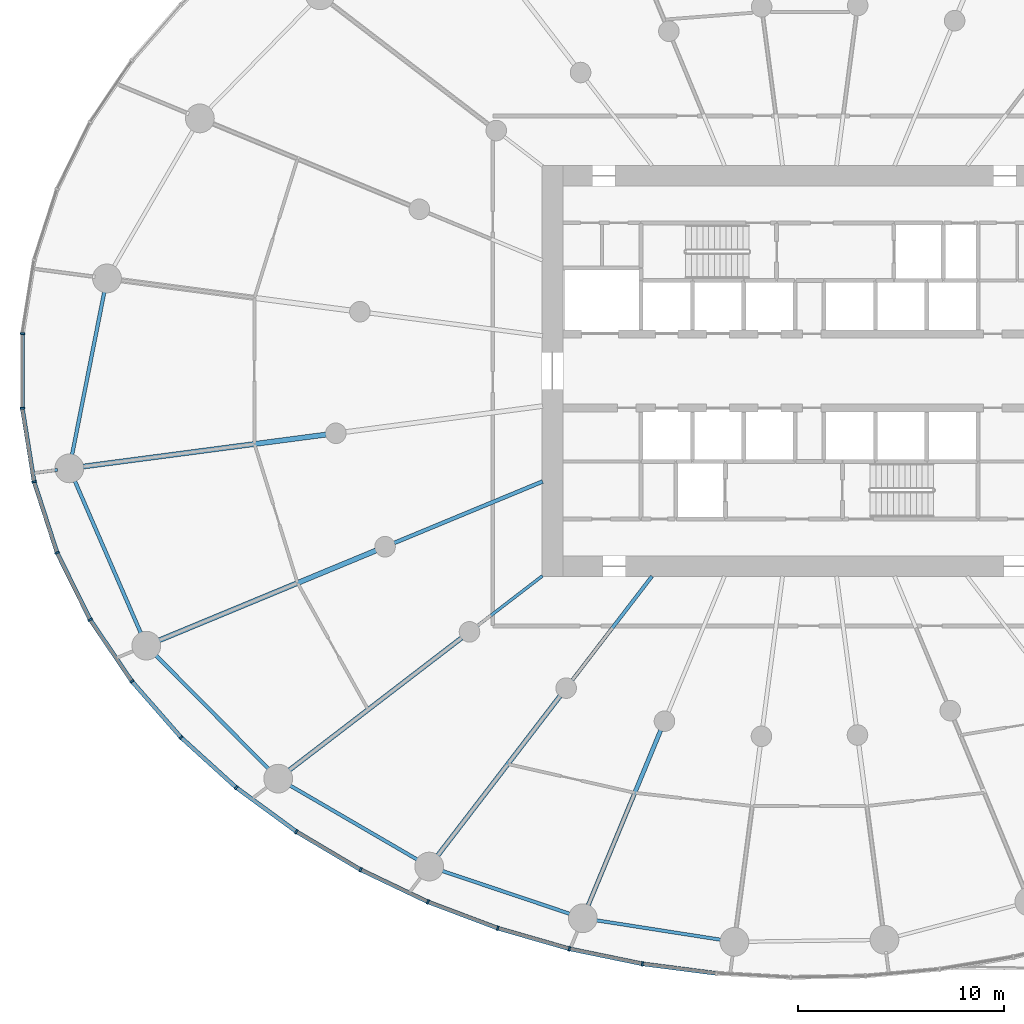
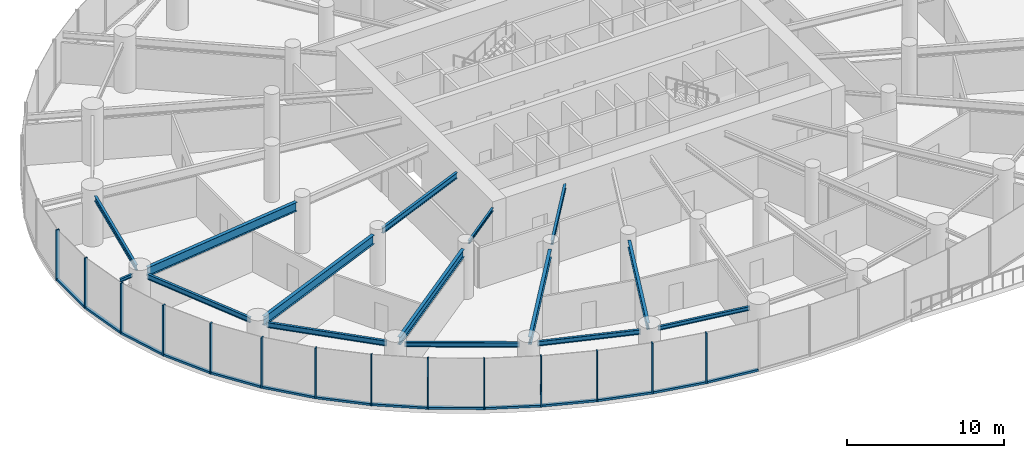
# One storey, part 2 of 21: 28 members, 15 beams, 4 elements without a shape of their own.
"""IFC4 building model written with IfcOpenShell, lengths in metres."""

from ifc_helpers import new_model, si_unit, direction, frame, origin, origin_2d, place, context, subcontext, project, spatial, rectangle, i_section, extrude, source, transform, mapped, material, layer, layer_set, material_profile, profile_set, type_object, element, aggregate, save


model = new_model("IFC4")

# Units and contexts
model_context = context("Model", 3, precision=1e-05, world=origin(), true_north=direction((0.0, 1.0)))
body_context = subcontext(model_context, "Body", "Model", "MODEL_VIEW")
ifc_project = project(units=[si_unit("LENGTHUNIT", "METRE"), si_unit("AREAUNIT", "SQUARE_METRE"), si_unit("VOLUMEUNIT", "CUBIC_METRE"), si_unit("PLANEANGLEUNIT", "RADIAN"), si_unit("MASSUNIT", "GRAM", prefix="KILO")], contexts=[model_context])

# Site, building, storey
site_placement = place(None, origin())
site = spatial("IfcSite", under=ifc_project, at=site_placement, CompositionType="ELEMENT")
building_placement = place(site_placement, origin())
building = spatial("IfcBuilding", under=site, at=building_placement, Name="Spindrift Exchange Tower", CompositionType="ELEMENT")
storey_placement = place(building_placement, frame((0.0, 0.0, 18.199951171875)))
storey = spatial("IfcBuildingStorey", under=building, at=storey_placement, Name="L04", CompositionType="ELEMENT", Elevation=18.199951171875)

# Beams
ifc_material_1 = material(Name="Steel Grade 300", Category="steel")
ifc_material_profile_1 = material_profile(ifc_material_1, i_section(OverallWidth=0.25, OverallDepth=0.699951171875, WebThickness=0.008056640625, FlangeThickness=0.011962890625, at=origin_2d()), Name="700WB115")
ifc_profile_set_1 = profile_set([ifc_material_profile_1], Name="Steel Grade 300")
beam_type_1 = type_object("IfcBeamType", Name="Floor Beam 700WB115 Steel Grade 300", PredefinedType="BEAM", material=ifc_profile_set_1)
shared_shape_1 = source(origin(), body_context, "Body", "SweptSolid", [
    extrude(i_section(OverallWidth=0.25, OverallDepth=0.699951171875, WebThickness=0.008056640625, FlangeThickness=0.011962890625, at=origin_2d()), origin(), (0.0, 0.0, 1.0), 12.00830078125),
])
beam_1_placement = place(storey_placement, frame((28.490234375, 44.90478515625, 3.60009765625), z_axis=(-0.991444950947, -0.130525511844, 0.0), x_axis=(0.130525511844, -0.991444950947, 0.0)))
element("IfcBeam", 1, at=beam_1_placement, inside=storey, type_object=beam_type_1, Name="L04 radial beam R13B", PredefinedType="BEAM", context=body_context, shape_type="MappedRepresentation", body=[
    mapped(shared_shape_1, transform((0.0, 0.0, 0.0), scale=1.0)),
])
ifc_material_profile_2 = material_profile(ifc_material_1, i_section(OverallWidth=0.18994140625, OverallDepth=0.45703125, WebThickness=0.009033203125, FlangeThickness=0.014404296875, FilletRadius=0.013916015625, at=origin_2d()), Name="460UB74.6")
ifc_profile_set_2 = profile_set([ifc_material_profile_2], Name="Steel Grade 300")
beam_type_2 = type_object("IfcBeamType", Name="Floor Beam 460UB74.6 Steel Grade 300", PredefinedType="BEAM", material=ifc_profile_set_2)
shared_shape_2 = source(origin(), body_context, "Body", "SweptSolid", [
    extrude(i_section(OverallWidth=0.18994140625, OverallDepth=0.45703125, WebThickness=0.009033203125, FlangeThickness=0.014404296875, FilletRadius=0.013916015625, at=origin_2d()), origin(), (0.0, 0.0, 1.0), 7.808837890625),
])
beam_2_placement = place(storey_placement, frame((39.0185546875, 42.622802734375, 3.721435546875), z_axis=(-0.92387965154, -0.382683145003, 0.0), x_axis=(0.382683145003, -0.92387965154, 0.0)))
element("IfcBeam", 2, at=beam_2_placement, inside=storey, type_object=beam_type_2, Name="L04 radial beam R14A", PredefinedType="BEAM", context=body_context, shape_type="MappedRepresentation", body=[
    mapped(shared_shape_2, transform((0.0, 0.0, 0.0), scale=1.0)),
])
shared_shape_3 = source(origin(), body_context, "Body", "SweptSolid", [
    extrude(i_section(OverallWidth=0.25, OverallDepth=0.699951171875, WebThickness=0.008056640625, FlangeThickness=0.011962890625, at=origin_2d()), origin(), (0.0, 0.0, 1.0), 11.505859375),
])
beam_3_placement = place(storey_placement, frame((30.917236328125, 39.26708984375, 3.60009765625), z_axis=(-0.923881578419, -0.38267849307, 0.0), x_axis=(0.38267849307, -0.923881578419, 0.0)))
element("IfcBeam", 3, at=beam_3_placement, inside=storey, type_object=beam_type_1, Name="L04 radial beam R14B", PredefinedType="BEAM", context=body_context, shape_type="MappedRepresentation", body=[
    mapped(shared_shape_3, transform((0.0, 0.0, 0.0), scale=1.0)),
])
ifc_material_profile_3 = material_profile(ifc_material_1, i_section(OverallWidth=0.14599609375, OverallDepth=0.251953125, WebThickness=0.006103515625, FlangeThickness=0.008544921875, FilletRadius=0.011962890625, at=origin_2d()), Name="250UB31.4")
ifc_profile_set_3 = profile_set([ifc_material_profile_3], Name="Steel Grade 300")
beam_type_3 = type_object("IfcBeamType", Name="Floor Beam 250UB31.4 Steel Grade 300", PredefinedType="BEAM", material=ifc_profile_set_3)
shared_shape_4 = source(origin(), body_context, "Body", "SweptSolid", [
    extrude(i_section(OverallWidth=0.14599609375, OverallDepth=0.251953125, WebThickness=0.006103515625, FlangeThickness=0.008544921875, FilletRadius=0.011962890625, at=origin_2d()), origin(), (0.0, 0.0, 1.0), 3.99560546875),
])
beam_4_placement = place(storey_placement, frame((39.015869140625, 38.036865234375, 3.823974609375), z_axis=(-0.793352561574, -0.608762443851, 0.0), x_axis=(0.608762443851, -0.793352561574, 0.0)))
element("IfcBeam", 4, at=beam_4_placement, inside=storey, type_object=beam_type_3, Name="L04 radial beam R15A", PredefinedType="BEAM", context=body_context, shape_type="MappedRepresentation", body=[
    mapped(shared_shape_4, transform((0.0, 0.0, 0.0), scale=1.0)),
])
ifc_material_profile_4 = material_profile(ifc_material_1, i_section(OverallWidth=0.22802734375, OverallDepth=0.60693359375, WebThickness=0.01123046875, FlangeThickness=0.017333984375, FilletRadius=0.013916015625, at=origin_2d()), Name="610UB113")
ifc_profile_set_4 = profile_set([ifc_material_profile_4], Name="Steel Grade 300")
beam_type_4 = type_object("IfcBeamType", Name="Floor Beam 610UB113 Steel Grade 300", PredefinedType="BEAM", material=ifc_profile_set_4)
shared_shape_5 = source(origin(), body_context, "Body", "SweptSolid", [
    extrude(i_section(OverallWidth=0.22802734375, OverallDepth=0.60693359375, WebThickness=0.01123046875, FlangeThickness=0.017333984375, FilletRadius=0.013916015625, at=origin_2d()), origin(), (0.0, 0.0, 1.0), 10.66357421875),
])
beam_5_placement = place(storey_placement, frame((35.08447265625, 35.020263671875, 3.646484375), z_axis=(-0.793357926757, -0.608755451764, 0.0), x_axis=(0.608755451764, -0.793357926757, 0.0)))
element("IfcBeam", 5, at=beam_5_placement, inside=storey, type_object=beam_type_4, Name="L04 radial beam R15B", PredefinedType="BEAM", context=body_context, shape_type="MappedRepresentation", body=[
    mapped(shared_shape_5, transform((0.0, 0.0, 0.0), scale=1.0)),
])
ifc_material_profile_5 = material_profile(ifc_material_1, i_section(OverallWidth=0.172119140625, OverallDepth=0.35888671875, WebThickness=0.008056640625, FlangeThickness=0.012939453125, FilletRadius=0.013916015625, at=origin_2d()), Name="360UB56.7")
ifc_profile_set_5 = profile_set([ifc_material_profile_5], Name="Steel Grade 300")
beam_type_5 = type_object("IfcBeamType", Name="Floor Beam 360UB56.7 Steel Grade 300", PredefinedType="BEAM", material=ifc_profile_set_5)
shared_shape_6 = source(origin(), body_context, "Body", "SweptSolid", [
    extrude(i_section(OverallWidth=0.172119140625, OverallDepth=0.35888671875, WebThickness=0.008056640625, FlangeThickness=0.012939453125, FilletRadius=0.013916015625, at=origin_2d()), origin(), (0.0, 0.0, 1.0), 6.37646484375),
])
beam_6_placement = place(storey_placement, frame((44.3388671875, 38.015869140625, 3.7705078125), z_axis=(-0.608766669952, -0.793349318747, 0.0), x_axis=(0.793349318747, -0.608766669952, 0.0)))
element("IfcBeam", 6, at=beam_6_placement, inside=storey, type_object=beam_type_5, Name="L04 radial beam R16A", PredefinedType="BEAM", context=body_context, shape_type="MappedRepresentation", body=[
    mapped(shared_shape_6, transform((0.0, 0.0, 0.0), scale=1.0)),
])
shared_shape_7 = source(origin(), body_context, "Body", "SweptSolid", [
    extrude(i_section(OverallWidth=0.22802734375, OverallDepth=0.60693359375, WebThickness=0.01123046875, FlangeThickness=0.017333984375, FilletRadius=0.013916015625, at=origin_2d()), origin(), (0.0, 0.0, 1.0), 9.87548828125),
])
beam_7_placement = place(storey_placement, frame((39.872802734375, 32.1953125, 3.646484375), z_axis=(-0.608772470836, -0.793344867477, 0.0), x_axis=(0.793344867477, -0.608772470836, 0.0)))
element("IfcBeam", 7, at=beam_7_placement, inside=storey, type_object=beam_type_4, Name="L04 radial beam R16B", PredefinedType="BEAM", context=body_context, shape_type="MappedRepresentation", body=[
    mapped(shared_shape_7, transform((0.0, 0.0, 0.0), scale=1.0)),
])
ifc_material_profile_6 = material_profile(ifc_material_1, i_section(OverallWidth=0.208984375, OverallDepth=0.532958984375, WebThickness=0.01025390625, FlangeThickness=0.015625, FilletRadius=0.013916015625, at=origin_2d()), Name="530UB92.4")
ifc_profile_set_6 = profile_set([ifc_material_profile_6], Name="Steel Grade 300")
beam_type_6 = type_object("IfcBeamType", Name="Floor Beam 530UB92.4 Steel Grade 300", PredefinedType="BEAM", material=ifc_profile_set_6)
shared_shape_8 = source(origin(), body_context, "Body", "SweptSolid", [
    extrude(i_section(OverallWidth=0.208984375, OverallDepth=0.532958984375, WebThickness=0.01025390625, FlangeThickness=0.015625, FilletRadius=0.013916015625, at=origin_2d()), origin(), (0.0, 0.0, 1.0), 9.309326171875),
])
beam_8_placement = place(storey_placement, frame((44.76171875, 30.525146484375, 3.68359375), z_axis=(-0.382685326691, -0.923878747853, 0.0), x_axis=(0.923878747853, -0.382685326691, 0.0)))
element("IfcBeam", 8, at=beam_8_placement, inside=storey, type_object=beam_type_6, Name="L04 radial beam R17B", PredefinedType="BEAM", context=body_context, shape_type="MappedRepresentation", body=[
    mapped(shared_shape_8, transform((0.0, 0.0, 0.0), scale=1.0)),
])
ifc_material_profile_7 = material_profile(ifc_material_1, i_section(OverallWidth=0.177978515625, OverallDepth=0.406005859375, WebThickness=0.0078125, FlangeThickness=0.0126953125, FilletRadius=0.013916015625, at=origin_2d()), Name="410UB59.7")
ifc_profile_set_7 = profile_set([ifc_material_profile_7], Name="Steel Grade 300")
beam_type_7 = type_object("IfcBeamType", Name="Edge Beam 410UB59.7 Steel Grade 300", PredefinedType="SPANDREL", material=ifc_profile_set_7)
shared_shape_9 = source(origin(), body_context, "Body", "SweptSolid", [
    extrude(i_section(OverallWidth=0.177978515625, OverallDepth=0.406005859375, WebThickness=0.0078125, FlangeThickness=0.0126953125, FilletRadius=0.013916015625, at=origin_2d()), origin(), (0.0, 0.0, 1.0), 8.23681640625),
])
beam_9_placement = place(storey_placement, frame((16.240478515625, 42.729736328125, 3.7470703125), z_axis=(0.398186298756, -0.91730456855, 0.0), x_axis=(0.91730456855, 0.398186298756, 0.0)))
element("IfcBeam", 9, at=beam_9_placement, inside=storey, type_object=beam_type_7, Name="L04 edge beam E13", PredefinedType="SPANDREL", context=body_context, shape_type="MappedRepresentation", body=[
    mapped(shared_shape_9, transform((0.0, 0.0, 0.0), scale=1.0)),
])
shared_shape_10 = source(origin(), body_context, "Body", "SweptSolid", [
    extrude(i_section(OverallWidth=0.177978515625, OverallDepth=0.406005859375, WebThickness=0.0078125, FlangeThickness=0.0126953125, FilletRadius=0.013916015625, at=origin_2d()), origin(), (0.0, 0.0, 1.0), 7.947509765625),
])
beam_10_placement = place(storey_placement, frame((20.159423828125, 34.230224609375, 3.7470703125), z_axis=(0.704197895271, -0.710003749494, 0.0), x_axis=(0.710003749494, 0.704197895271, 0.0)))
element("IfcBeam", 10, at=beam_10_placement, inside=storey, type_object=beam_type_7, Name="L04 edge beam E14", PredefinedType="SPANDREL", context=body_context, shape_type="MappedRepresentation", body=[
    mapped(shared_shape_10, transform((0.0, 0.0, 0.0), scale=1.0)),
])
ifc_material_profile_8 = material_profile(ifc_material_1, i_section(OverallWidth=0.172119140625, OverallDepth=0.35888671875, WebThickness=0.008056640625, FlangeThickness=0.012939453125, FilletRadius=0.013916015625, at=origin_2d()), Name="360UB56.7")
ifc_profile_set_8 = profile_set([ifc_material_profile_8], Name="Steel Grade 300")
beam_type_8 = type_object("IfcBeamType", Name="Edge Beam 360UB56.7 Steel Grade 300", PredefinedType="SPANDREL", material=ifc_profile_set_8)
shared_shape_11 = source(origin(), body_context, "Body", "SweptSolid", [
    extrude(i_section(OverallWidth=0.172119140625, OverallDepth=0.35888671875, WebThickness=0.008056640625, FlangeThickness=0.012939453125, FilletRadius=0.013916015625, at=origin_2d()), origin(), (0.0, 0.0, 1.0), 7.33740234375),
])
beam_11_placement = place(storey_placement, frame((26.66552734375, 27.8837890625, 3.7705078125), z_axis=(0.864211826308, -0.503128134047, 0.0), x_axis=(0.503128134047, 0.864211826308, 0.0)))
element("IfcBeam", 11, at=beam_11_placement, inside=storey, type_object=beam_type_8, Name="L04 edge beam E15", PredefinedType="SPANDREL", context=body_context, shape_type="MappedRepresentation", body=[
    mapped(shared_shape_11, transform((0.0, 0.0, 0.0), scale=1.0)),
])
shared_shape_12 = source(origin(), body_context, "Body", "SweptSolid", [
    extrude(i_section(OverallWidth=0.172119140625, OverallDepth=0.35888671875, WebThickness=0.008056640625, FlangeThickness=0.012939453125, FilletRadius=0.013916015625, at=origin_2d()), origin(), (0.0, 0.0, 1.0), 6.72021484375),
])
beam_12_placement = place(storey_placement, frame((34.0576171875, 23.71533203125, 3.7705078125), z_axis=(0.947851749681, -0.318711563372, 0.0), x_axis=(0.318711563372, 0.947851749681, 0.0)))
element("IfcBeam", 12, at=beam_12_placement, inside=storey, type_object=beam_type_8, Name="L04 edge beam E16", PredefinedType="SPANDREL", context=body_context, shape_type="MappedRepresentation", body=[
    mapped(shared_shape_12, transform((0.0, 0.0, 0.0), scale=1.0)),
])
ifc_material_profile_9 = material_profile(ifc_material_1, i_section(OverallWidth=0.1650390625, OverallDepth=0.303955078125, WebThickness=0.006103515625, FlangeThickness=0.01025390625, FilletRadius=0.011474609375, at=origin_2d()), Name="310UB40.4")
ifc_profile_set_9 = profile_set([ifc_material_profile_9], Name="Steel Grade 300")
beam_type_9 = type_object("IfcBeamType", Name="Edge Beam 310UB40.4 Steel Grade 300", PredefinedType="SPANDREL", material=ifc_profile_set_9)
shared_shape_13 = source(origin(), body_context, "Body", "SweptSolid", [
    extrude(i_section(OverallWidth=0.1650390625, OverallDepth=0.303955078125, WebThickness=0.006103515625, FlangeThickness=0.01025390625, FilletRadius=0.011474609375, at=origin_2d()), origin(), (0.0, 0.0, 1.0), 6.297119140625),
])
beam_13_placement = place(storey_placement, frame((41.55029296875, 21.29931640625, 3.798095703125), z_axis=(0.98802902915, -0.154268070436, 0.0), x_axis=(0.154268070436, 0.98802902915, 0.0)))
element("IfcBeam", 13, at=beam_13_placement, inside=storey, type_object=beam_type_9, Name="L04 edge beam E17", PredefinedType="SPANDREL", context=body_context, shape_type="MappedRepresentation", body=[
    mapped(shared_shape_13, transform((0.0, 0.0, 0.0), scale=1.0)),
])
shared_shape_14 = source(origin(), body_context, "Body", "SweptSolid", [
    extrude(i_section(OverallWidth=0.177978515625, OverallDepth=0.406005859375, WebThickness=0.0078125, FlangeThickness=0.0126953125, FilletRadius=0.013916015625, at=origin_2d()), origin(), (0.0, 0.0, 1.0), 8.2548828125),
])
beam_14_placement = place(storey_placement, frame((17.72607421875, 51.928466796875, 3.7470703125), z_axis=(-0.194278723288, -0.9809463684, 0.0), x_axis=(0.9809463684, -0.194278723288, 0.0)))
element("IfcBeam", 14, at=beam_14_placement, inside=storey, type_object=beam_type_7, Name="L04 edge beam E12", PredefinedType="SPANDREL", context=body_context, shape_type="MappedRepresentation", body=[
    mapped(shared_shape_14, transform((0.0, 0.0, 0.0), scale=1.0)),
])
ifc_material_profile_10 = material_profile(ifc_material_1, i_section(OverallWidth=0.14599609375, OverallDepth=0.251953125, WebThickness=0.006103515625, FlangeThickness=0.008544921875, FilletRadius=0.011962890625, at=origin_2d()), Name="250UB31.4")
ifc_profile_set_10 = profile_set([ifc_material_profile_10], Name="Steel Grade 300")
beam_type_10 = type_object("IfcBeamType", Name="Cantilever Beam 250UB31.4 Steel Grade 300", PredefinedType="BEAM", material=ifc_profile_set_10)
shared_shape_15 = source(origin(), body_context, "Body", "SweptSolid", [
    extrude(i_section(OverallWidth=0.14599609375, OverallDepth=0.251953125, WebThickness=0.006103515625, FlangeThickness=0.008544921875, FilletRadius=0.011962890625, at=origin_2d()), origin(), (0.0, 0.0, 1.0), 1.013916015625),
])
beam_15_placement = place(storey_placement, frame((15.4345703125, 43.18603515625, 3.823974609375), z_axis=(-0.991445276866, -0.130523036206, 0.0), x_axis=(0.130523036206, -0.991445276866, 0.0)))
element("IfcBeam", 15, at=beam_15_placement, inside=storey, type_object=beam_type_10, Name="L04 cantilever beam R13T", PredefinedType="BEAM", context=body_context, shape_type="MappedRepresentation", body=[
    mapped(shared_shape_15, transform((0.0, 0.0, 0.0), scale=1.0)),
])

# Curtain wall, member
ifc_material_2 = material(Name="Fritted laminated glass with bronze frame", Category="glass")
ifc_layer = layer(ifc_material_2, 0.219970703125)
ifc_layer_set = layer_set([ifc_layer], Name="PODIUM BRONZE GLAZED WALL")
curtain_wall_type = type_object("IfcCurtainWallType", Name="PODIUM BRONZE GLAZED WALL", PredefinedType="NOTDEFINED", material=ifc_layer_set)
curtain_wall_1_placement = place(storey_placement, origin())
curtain_wall_1 = element("IfcCurtainWall", 16, at=curtain_wall_1_placement, inside=storey, type_object=curtain_wall_type, Name="L04 Podium Bronze Glazed Wall run 5", PredefinedType="NOTDEFINED")
ifc_material_3 = material(Name="Bronze anodised aluminium", Category="aluminium")
ifc_material_profile_11 = material_profile(ifc_material_3, rectangle(XDim=0.090087890625, YDim=0.219970703125, at=origin_2d()), Name="PODIUM BRONZE GLAZED WALL MULLION 90X220")
ifc_profile_set_11 = profile_set([ifc_material_profile_11], Name="Bronze anodised aluminium")
member_type_1 = type_object("IfcMemberType", Name="PODIUM BRONZE GLAZED WALL MULLION 90X220", PredefinedType="MULLION", material=ifc_profile_set_11)
shared_shape_16 = source(origin(), body_context, "Body", "SweptSolid", [
    extrude(rectangle(XDim=0.090087890625, YDim=0.219970703125, at=origin_2d()), origin(), (0.0, 0.0, 1.0), 3.949951171875),
])
member_1_placement = place(storey_placement, frame((13.722412109375, 49.812255859375, 0.0), z_axis=(0.0, 0.0, 1.0), x_axis=(-0.079352003657, -0.996846657975, 0.0)))
member_1 = element("IfcMember", 17, at=member_1_placement, type_object=member_type_1, Name="L04 mullion CW-P.30", PredefinedType="MULLION", context=body_context, shape_type="MappedRepresentation", body=[
    mapped(shared_shape_16, transform((0.0, 0.0, 0.0), scale=1.0)),
])

# Curtain wall, members
curtain_wall_2_placement = place(storey_placement, origin())
curtain_wall_2 = element("IfcCurtainWall", 18, at=curtain_wall_2_placement, inside=storey, type_object=curtain_wall_type, Name="L04 Podium Bronze Glazed Wall run 6", PredefinedType="NOTDEFINED")
member_2_placement = place(storey_placement, frame((13.722412109375, 46.187744140625, 0.0), z_axis=(0.0, 0.0, 1.0), x_axis=(0.079352003657, -0.996846657975, 0.0)))
member_2 = element("IfcMember", 19, at=member_2_placement, type_object=member_type_1, Name="L04 mullion CW-P.31", PredefinedType="MULLION", context=body_context, shape_type="MappedRepresentation", body=[
    mapped(shared_shape_16, transform((0.0, 0.0, 0.0), scale=1.0)),
])
member_3_placement = place(storey_placement, frame((14.2958984375, 42.60888671875, 0.0), z_axis=(0.0, 0.0, 1.0), x_axis=(0.233790990177, -0.972286877888, 0.0)))
member_3 = element("IfcMember", 20, at=member_3_placement, type_object=member_type_1, Name="L04 mullion CW-P.32", PredefinedType="MULLION", context=body_context, shape_type="MappedRepresentation", body=[
    mapped(shared_shape_16, transform((0.0, 0.0, 0.0), scale=1.0)),
])
member_4_placement = place(storey_placement, frame((15.412109375, 39.160400390625, 0.0), z_axis=(0.0, 0.0, 1.0), x_axis=(0.376526512453, -0.926405842717, 0.0)))
member_4 = element("IfcMember", 21, at=member_4_placement, type_object=member_type_1, Name="L04 mullion CW-P.33", PredefinedType="MULLION", context=body_context, shape_type="MappedRepresentation", body=[
    mapped(shared_shape_16, transform((0.0, 0.0, 0.0), scale=1.0)),
])
member_5_placement = place(storey_placement, frame((17.018310546875, 35.910400390625, 0.0), z_axis=(0.0, 0.0, 1.0), x_axis=(0.502772312764, -0.86441888082, 0.0)))
member_5 = element("IfcMember", 22, at=member_5_placement, type_object=member_type_1, Name="L04 mullion CW-P.34", PredefinedType="MULLION", context=body_context, shape_type="MappedRepresentation", body=[
    mapped(shared_shape_16, transform((0.0, 0.0, 0.0), scale=1.0)),
])
member_6_placement = place(storey_placement, frame((19.04931640625, 32.906982421875, 0.0), z_axis=(0.0, 0.0, 1.0), x_axis=(0.610695844743, -0.791865256981, 0.0)))
member_6 = element("IfcMember", 23, at=member_6_placement, type_object=member_type_1, Name="L04 mullion CW-P.35", PredefinedType="MULLION", context=body_context, shape_type="MappedRepresentation", body=[
    mapped(shared_shape_16, transform((0.0, 0.0, 0.0), scale=1.0)),
])
member_7_placement = place(storey_placement, frame((21.4384765625, 30.17919921875, 0.0), z_axis=(0.0, 0.0, 1.0), x_axis=(0.700723074347, -0.713433369753, 0.0)))
member_7 = element("IfcMember", 24, at=member_7_placement, type_object=member_type_1, Name="L04 mullion CW-P.36", PredefinedType="MULLION", context=body_context, shape_type="MappedRepresentation", body=[
    mapped(shared_shape_16, transform((0.0, 0.0, 0.0), scale=1.0)),
])

curtain_wall_3_placement = place(storey_placement, origin())
curtain_wall_3 = element("IfcCurtainWall", 25, at=curtain_wall_3_placement, inside=storey, type_object=curtain_wall_type, Name="L04 Podium Bronze Glazed Wall run 7", PredefinedType="NOTDEFINED")
member_8_placement = place(storey_placement, frame((24.123046875, 27.7412109375, 0.0), z_axis=(0.0, 0.0, 1.0), x_axis=(0.774543413522, -0.632520751099, 0.0)))
member_8 = element("IfcMember", 26, at=member_8_placement, type_object=member_type_1, Name="L04 mullion CW-P.37", PredefinedType="MULLION", context=body_context, shape_type="MappedRepresentation", body=[
    mapped(shared_shape_16, transform((0.0, 0.0, 0.0), scale=1.0)),
])
member_9_placement = place(storey_placement, frame((27.048583984375, 25.597900390625, 0.0), z_axis=(0.0, 0.0, 1.0), x_axis=(0.834295578557, -0.551317410935, 0.0)))
member_9 = element("IfcMember", 27, at=member_9_placement, type_object=member_type_1, Name="L04 mullion CW-P.38", PredefinedType="MULLION", context=body_context, shape_type="MappedRepresentation", body=[
    mapped(shared_shape_16, transform((0.0, 0.0, 0.0), scale=1.0)),
])
member_10_placement = place(storey_placement, frame((30.16748046875, 23.7470703125, 0.0), z_axis=(0.0, 0.0, 1.0), x_axis=(0.882121824938, -0.4710213222, 0.0)))
member_10 = element("IfcMember", 28, at=member_10_placement, type_object=member_type_1, Name="L04 mullion CW-P.39", PredefinedType="MULLION", context=body_context, shape_type="MappedRepresentation", body=[
    mapped(shared_shape_16, transform((0.0, 0.0, 0.0), scale=1.0)),
])
member_11_placement = place(storey_placement, frame((33.44091796875, 22.1845703125, 0.0), z_axis=(0.0, 0.0, 1.0), x_axis=(0.919884060826, -0.392190406103, 0.0)))
member_11 = element("IfcMember", 29, at=member_11_placement, type_object=member_type_1, Name="L04 mullion CW-P.40", PredefinedType="MULLION", context=body_context, shape_type="MappedRepresentation", body=[
    mapped(shared_shape_16, transform((0.0, 0.0, 0.0), scale=1.0)),
])
member_12_placement = place(storey_placement, frame((36.834716796875, 20.904541015625, 0.0), z_axis=(0.0, 0.0, 1.0), x_axis=(0.949100307428, -0.314973977401, 0.0)))
member_12 = element("IfcMember", 30, at=member_12_placement, type_object=member_type_1, Name="L04 mullion CW-P.41", PredefinedType="MULLION", context=body_context, shape_type="MappedRepresentation", body=[
    mapped(shared_shape_16, transform((0.0, 0.0, 0.0), scale=1.0)),
])
member_13_placement = place(storey_placement, frame((40.320556640625, 19.9013671875, 0.0), z_axis=(0.0, 0.0, 1.0), x_axis=(0.970953934717, -0.23926649715, 0.0)))
member_13 = element("IfcMember", 31, at=member_13_placement, type_object=member_type_1, Name="L04 mullion CW-P.42", PredefinedType="MULLION", context=body_context, shape_type="MappedRepresentation", body=[
    mapped(shared_shape_16, transform((0.0, 0.0, 0.0), scale=1.0)),
])

# Curtain wall, member
curtain_wall_4_placement = place(storey_placement, origin())
curtain_wall_4 = element("IfcCurtainWall", 32, at=curtain_wall_4_placement, inside=storey, type_object=curtain_wall_type, Name="L04 Podium Bronze Glazed Wall run 8", PredefinedType="NOTDEFINED")
member_14_placement = place(storey_placement, frame((43.873291015625, 19.169921875, 0.0), z_axis=(0.0, 0.0, 1.0), x_axis=(0.986321176845, -0.164834875275, 0.0)))
member_14 = element("IfcMember", 33, at=member_14_placement, type_object=member_type_1, Name="L04 mullion CW-P.43", PredefinedType="MULLION", context=body_context, shape_type="MappedRepresentation", body=[
    mapped(shared_shape_16, transform((0.0, 0.0, 0.0), scale=1.0)),
])

# Member
ifc_material_profile_12 = material_profile(ifc_material_3, rectangle(XDim=0.199951171875, YDim=0.159912109375, at=origin_2d()), Name="PODIUM BRONZE GLAZED WALL TRANSOM 200X160")
ifc_profile_set_12 = profile_set([ifc_material_profile_12], Name="Bronze anodised aluminium")
member_type_2 = type_object("IfcMemberType", Name="PODIUM BRONZE GLAZED WALL TRANSOM 200X160", PredefinedType="USERDEFINED", material=ifc_profile_set_12)
shared_shape_17 = source(origin(), body_context, "Body", "SweptSolid", [
    extrude(rectangle(XDim=0.199951171875, YDim=0.159912109375, at=origin_2d()), origin(), (0.0, 0.0, 1.0), 3.534423828125),
])
member_15_placement = place(storey_placement, frame((13.7294921875, 46.143310546875, 0.080078125), z_axis=(0.158179077332, -0.987410441252, 0.0), x_axis=(0.987410441252, 0.158179077332, 0.0)))
member_15 = element("IfcMember", 34, at=member_15_placement, type_object=member_type_2, Name="L04 transom CW-P.31", ObjectType="TRANSOM", PredefinedType="USERDEFINED", context=body_context, shape_type="MappedRepresentation", body=[
    mapped(shared_shape_17, transform((0.0, 0.0, 0.0), scale=1.0)),
])

shared_shape_18 = source(origin(), body_context, "Body", "SweptSolid", [
    extrude(rectangle(XDim=0.199951171875, YDim=0.159912109375, at=origin_2d()), origin(), (0.0, 0.0, 1.0), 3.535888671875),
])
member_16_placement = place(storey_placement, frame((19.0791015625, 32.873046875, 0.080078125), z_axis=(0.658851608653, -0.752272927717, 0.0), x_axis=(0.752272927717, 0.658851608653, 0.0)))
member_16 = element("IfcMember", 35, at=member_16_placement, type_object=member_type_2, Name="L04 transom CW-P.35", ObjectType="TRANSOM", PredefinedType="USERDEFINED", context=body_context, shape_type="MappedRepresentation", body=[
    mapped(shared_shape_18, transform((0.0, 0.0, 0.0), scale=1.0)),
])

shared_shape_19 = source(origin(), body_context, "Body", "SweptSolid", [
    extrude(rectangle(XDim=0.199951171875, YDim=0.159912109375, at=origin_2d()), origin(), (0.0, 0.0, 1.0), 3.53662109375),
])
member_17_placement = place(storey_placement, frame((21.4716796875, 30.14892578125, 0.080078125), z_axis=(0.740321047541, -0.672253483864, 0.0), x_axis=(0.672253483864, 0.740321047541, 0.0)))
member_17 = element("IfcMember", 36, at=member_17_placement, type_object=member_type_2, Name="L04 transom CW-P.36", ObjectType="TRANSOM", PredefinedType="USERDEFINED", context=body_context, shape_type="MappedRepresentation", body=[
    mapped(shared_shape_19, transform((0.0, 0.0, 0.0), scale=1.0)),
])

member_18_placement = place(storey_placement, frame((24.159423828125, 27.714599609375, 0.080078125), z_axis=(0.806668284545, -0.591004465896, 0.0), x_axis=(0.591004465896, 0.806668284545, 0.0)))
member_18 = element("IfcMember", 37, at=member_18_placement, type_object=member_type_2, Name="L04 transom CW-P.37", ObjectType="TRANSOM", PredefinedType="USERDEFINED", context=body_context, shape_type="MappedRepresentation", body=[
    mapped(shared_shape_19, transform((0.0, 0.0, 0.0), scale=1.0)),
])

shared_shape_20 = source(origin(), body_context, "Body", "SweptSolid", [
    extrude(rectangle(XDim=0.199951171875, YDim=0.159912109375, at=origin_2d()), origin(), (0.0, 0.0, 1.0), 3.536865234375),
])
member_19_placement = place(storey_placement, frame((27.087158203125, 25.574951171875, 0.080078125), z_axis=(0.859992016705, -0.510307486917, 0.0), x_axis=(0.510307486917, 0.859992016705, 0.0)))
member_19 = element("IfcMember", 38, at=member_19_placement, type_object=member_type_2, Name="L04 transom CW-P.38", ObjectType="TRANSOM", PredefinedType="USERDEFINED", context=body_context, shape_type="MappedRepresentation", body=[
    mapped(shared_shape_20, transform((0.0, 0.0, 0.0), scale=1.0)),
])

shared_shape_21 = source(origin(), body_context, "Body", "SweptSolid", [
    extrude(rectangle(XDim=0.199951171875, YDim=0.159912109375, at=origin_2d()), origin(), (0.0, 0.0, 1.0), 3.537109375),
])
member_20_placement = place(storey_placement, frame((30.208251953125, 23.7275390625, 0.080078125), z_axis=(0.902463353207, -0.430766637657, 0.0), x_axis=(0.430766637657, 0.902463353207, 0.0)))
member_20 = element("IfcMember", 39, at=member_20_placement, type_object=member_type_2, Name="L04 transom CW-P.39", ObjectType="TRANSOM", PredefinedType="USERDEFINED", context=body_context, shape_type="MappedRepresentation", body=[
    mapped(shared_shape_21, transform((0.0, 0.0, 0.0), scale=1.0)),
])

member_21_placement = place(storey_placement, frame((33.48291015625, 22.168701171875, 0.080078125), z_axis=(0.93565806005, -0.35290791244, 0.0), x_axis=(0.35290791244, 0.93565806005, 0.0)))
member_21 = element("IfcMember", 40, at=member_21_placement, type_object=member_type_2, Name="L04 transom CW-P.40", ObjectType="TRANSOM", PredefinedType="USERDEFINED", context=body_context, shape_type="MappedRepresentation", body=[
    mapped(shared_shape_21, transform((0.0, 0.0, 0.0), scale=1.0)),
])

shared_shape_22 = source(origin(), body_context, "Body", "SweptSolid", [
    extrude(rectangle(XDim=0.199951171875, YDim=0.159912109375, at=origin_2d()), origin(), (0.0, 0.0, 1.0), 3.537353515625),
])
member_22_placement = place(storey_placement, frame((36.8779296875, 20.89208984375, 0.080078125), z_axis=(0.960998711258, -0.276552846597, 0.0), x_axis=(0.276552846597, 0.960998711258, 0.0)))
member_22 = element("IfcMember", 41, at=member_22_placement, type_object=member_type_2, Name="L04 transom CW-P.41", ObjectType="TRANSOM", PredefinedType="USERDEFINED", context=body_context, shape_type="MappedRepresentation", body=[
    mapped(shared_shape_22, transform((0.0, 0.0, 0.0), scale=1.0)),
])

member_23_placement = place(storey_placement, frame((43.91796875, 19.164306640625, 0.080078125), z_axis=(0.991797070454, -0.127822419936, 0.0), x_axis=(0.127822419936, 0.991797070454, 0.0)))
member_23 = element("IfcMember", 42, at=member_23_placement, type_object=member_type_2, Name="L04 transom CW-P.43", ObjectType="TRANSOM", PredefinedType="USERDEFINED", context=body_context, shape_type="MappedRepresentation", body=[
    mapped(shared_shape_22, transform((0.0, 0.0, 0.0), scale=1.0)),
])

aggregate(curtain_wall_4, [member_14, member_23])

shared_shape_23 = source(origin(), body_context, "Body", "SweptSolid", [
    extrude(rectangle(XDim=0.199951171875, YDim=0.159912109375, at=origin_2d()), origin(), (0.0, 0.0, 1.0), 3.53759765625),
])
member_24_placement = place(storey_placement, frame((40.364501953125, 19.892333984375, 0.080078125), z_axis=(0.979455439567, -0.201660709866, 0.0), x_axis=(0.201660709866, 0.979455439567, 0.0)))
member_24 = element("IfcMember", 43, at=member_24_placement, type_object=member_type_2, Name="L04 transom CW-P.42", ObjectType="TRANSOM", PredefinedType="USERDEFINED", context=body_context, shape_type="MappedRepresentation", body=[
    mapped(shared_shape_23, transform((0.0, 0.0, 0.0), scale=1.0)),
])

aggregate(curtain_wall_3, [member_8, member_18, member_9, member_19, member_10, member_20, member_11, member_21, member_12, member_22, member_13, member_24])

shared_shape_24 = source(origin(), body_context, "Body", "SweptSolid", [
    extrude(rectangle(XDim=0.199951171875, YDim=0.159912109375, at=origin_2d()), origin(), (0.0, 0.0, 1.0), 3.535400390625),
])
member_25_placement = place(storey_placement, frame((15.43212890625, 39.1201171875, 0.080078125), z_axis=(0.443065417149, -0.896489283888, 0.0), x_axis=(0.896489283888, 0.443065417149, 0.0)))
member_25 = element("IfcMember", 44, at=member_25_placement, type_object=member_type_2, Name="L04 transom CW-P.33", ObjectType="TRANSOM", PredefinedType="USERDEFINED", context=body_context, shape_type="MappedRepresentation", body=[
    mapped(shared_shape_24, transform((0.0, 0.0, 0.0), scale=1.0)),
])

member_26_placement = place(storey_placement, frame((17.043701171875, 35.873046875, 0.080078125), z_axis=(0.560170021339, -0.828377659762, 0.0), x_axis=(0.828377659762, 0.560170021339, 0.0)))
member_26 = element("IfcMember", 45, at=member_26_placement, type_object=member_type_2, Name="L04 transom CW-P.34", ObjectType="TRANSOM", PredefinedType="USERDEFINED", context=body_context, shape_type="MappedRepresentation", body=[
    mapped(shared_shape_24, transform((0.0, 0.0, 0.0), scale=1.0)),
])

shared_shape_25 = source(origin(), body_context, "Body", "SweptSolid", [
    extrude(rectangle(XDim=0.199951171875, YDim=0.159912109375, at=origin_2d()), origin(), (0.0, 0.0, 1.0), 3.534912109375),
])
member_27_placement = place(storey_placement, frame((14.3095703125, 42.566162109375, 0.080078125), z_axis=(0.308031746699, -0.951376078649, 0.0), x_axis=(0.951376078649, 0.308031746699, 0.0)))
member_27 = element("IfcMember", 46, at=member_27_placement, type_object=member_type_2, Name="L04 transom CW-P.32", ObjectType="TRANSOM", PredefinedType="USERDEFINED", context=body_context, shape_type="MappedRepresentation", body=[
    mapped(shared_shape_25, transform((0.0, 0.0, 0.0), scale=1.0)),
])

aggregate(curtain_wall_2, [member_2, member_15, member_3, member_27, member_4, member_25, member_5, member_26, member_6, member_16, member_7, member_17])

shared_shape_26 = source(origin(), body_context, "Body", "SweptSolid", [
    extrude(rectangle(XDim=0.199951171875, YDim=0.159912109375, at=origin_2d()), origin(), (0.0, 0.0, 1.0), 3.5341796875),
])
member_28_placement = place(storey_placement, frame((13.722412109375, 49.76708984375, 0.080078125), z_axis=(0.0, -1.0, 0.0), x_axis=(1.0, 0.0, 0.0)))
member_28 = element("IfcMember", 47, at=member_28_placement, type_object=member_type_2, Name="L04 transom CW-P.30", ObjectType="TRANSOM", PredefinedType="USERDEFINED", context=body_context, shape_type="MappedRepresentation", body=[
    mapped(shared_shape_26, transform((0.0, 0.0, 0.0), scale=1.0)),
])

aggregate(curtain_wall_1, [member_1, member_28])

save(model, "model.ifc")
